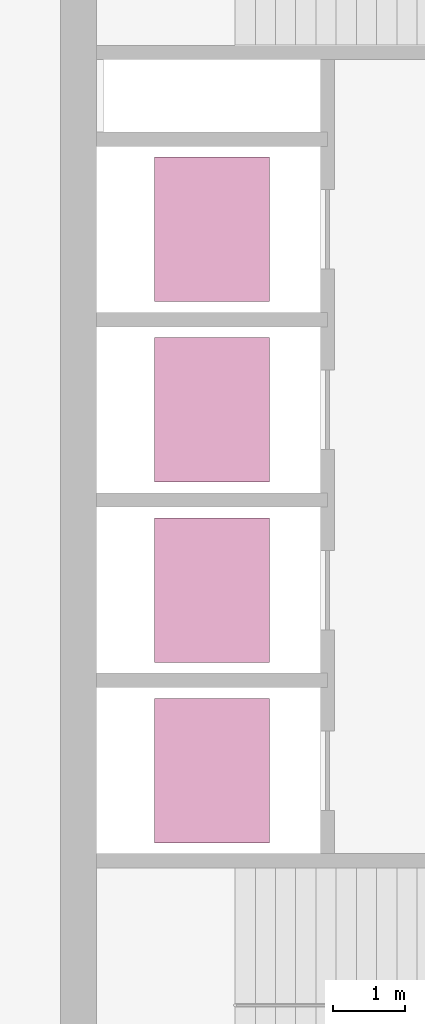
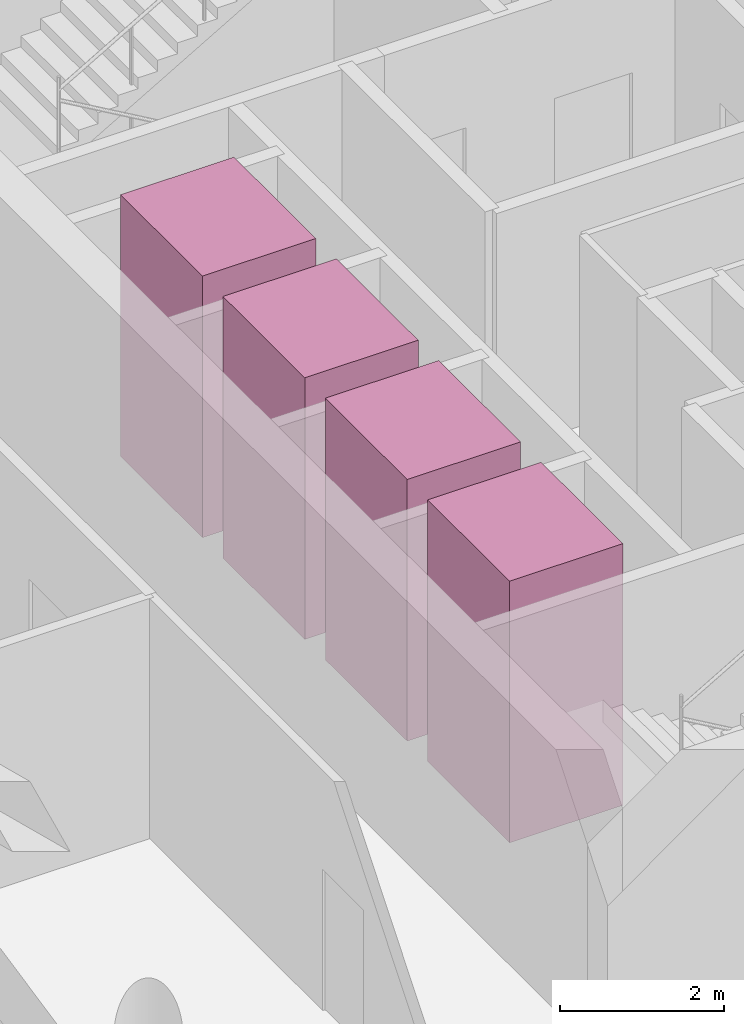
# One storey, part 8 of 8: 4 transport elements.
"""IFC4 building model written with IfcOpenShell, lengths in metres."""

from ifc_helpers import new_model, si_unit, direction, frame, origin, origin_2d, place, context, subcontext, project, spatial, rectangle, extrude, material, type_object, element, save


model = new_model("IFC4")

# Units and contexts
model_context = context("Model", 3, precision=1e-05, world=origin(), true_north=direction((0.0, 1.0)))
body_context = subcontext(model_context, "Body", "Model", "MODEL_VIEW")
ifc_project = project(units=[si_unit("LENGTHUNIT", "METRE"), si_unit("AREAUNIT", "SQUARE_METRE"), si_unit("VOLUMEUNIT", "CUBIC_METRE"), si_unit("PLANEANGLEUNIT", "RADIAN"), si_unit("MASSUNIT", "GRAM", prefix="KILO")], contexts=[model_context])

# Site, building, storey
site_placement = place(None, origin())
site = spatial("IfcSite", under=ifc_project, at=site_placement, CompositionType="ELEMENT")
building_placement = place(site_placement, origin())
building = spatial("IfcBuilding", under=site, at=building_placement, Name="Qaws Garden Tower", CompositionType="ELEMENT")
storey_placement = place(building_placement, frame((0.0, 0.0, 290.39990234375)))
storey = spatial("IfcBuildingStorey", under=building, at=storey_placement, Name="L70", CompositionType="ELEMENT", Elevation=290.39990234375)

# Transport elements
ifc_material = material(Name="Stainless steel 316", Category="steel")
transport_element_type = type_object("IfcTransportElementType", Name="Passenger lift car 2000x1600 1800 kg", PredefinedType="ELEVATOR", material=ifc_material)
for number, where, z_axis, x_axis, name in (
    (1, (10.10009765625, 13.64990234375, 0.000244140625), (0.0, 0.0, 1.0), (1.0, 0.0, 0.0), "HR1"),
    (2, (10.10009765625, 16.14990234375, 0.000244140625), (0.0, 0.0, 1.0), (1.0, 0.0, 0.0), "HR2"),
    (3, (10.10009765625, 18.64990234375, 0.000244140625), (0.0, 0.0, 1.0), (1.0, 0.0, 0.0), "HR3"),
    (4, (10.10009765625, 21.14990234375, 0.000244140625), (0.0, 0.0, 1.0), (1.0, 0.0, 0.0), "HR4"),
):
    element("IfcTransportElement", number, at=place(storey_placement, frame(where, z_axis=z_axis, x_axis=x_axis)), inside=storey, type_object=transport_element_type, Name=name, PredefinedType="ELEVATOR", context=body_context, shape_type="SweptSolid", body=[
        extrude(rectangle(XDim=1.60009765625, YDim=2.0, at=origin_2d()), origin(), (0.0, 0.0, 1.0), 3.89990234375),
    ])

save(model, "model.ifc")
